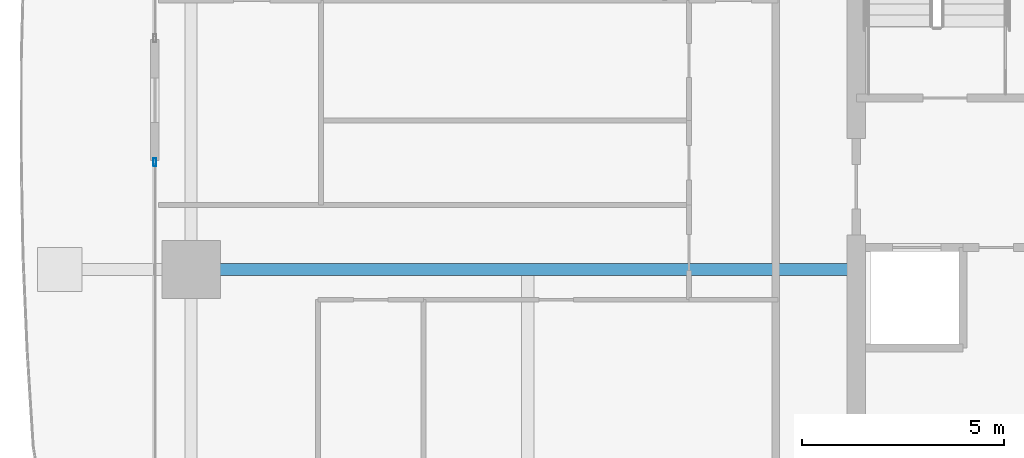
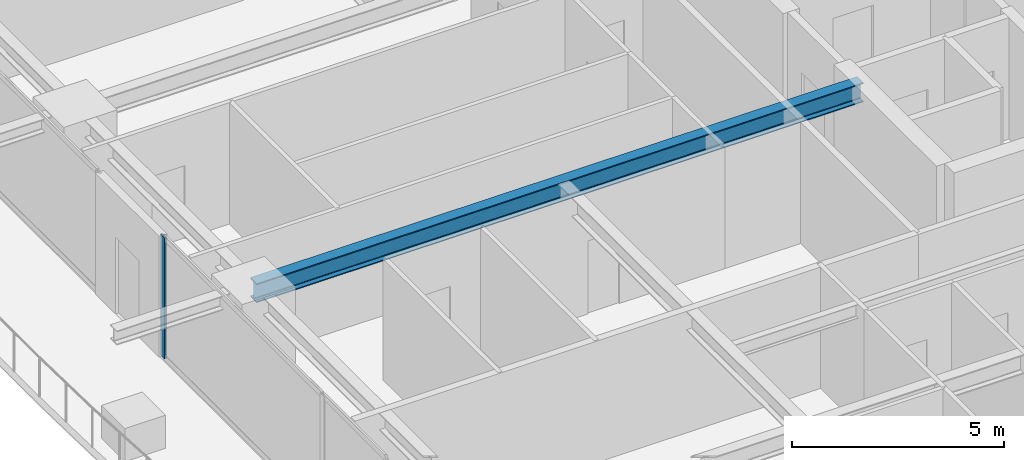
# One storey, part 7 of 34: 1 beam, 1 member, 1 element without a shape of its own.
"""IFC4 building model written with IfcOpenShell, lengths in metres."""

from ifc_helpers import new_model, si_unit, direction, frame, origin, origin_2d, place, context, subcontext, project, spatial, hollow_rectangle, i_section, extrude, source, transform, mapped, material, layer, layer_set, material_profile, profile_set, type_object, element, aggregate, save


model = new_model("IFC4")

# Units and contexts
model_context = context("Model", 3, precision=1e-05, world=origin(), true_north=direction((0.0, 1.0)))
body_context = subcontext(model_context, "Body", "Model", "MODEL_VIEW")
ifc_project = project(units=[si_unit("LENGTHUNIT", "METRE"), si_unit("AREAUNIT", "SQUARE_METRE"), si_unit("VOLUMEUNIT", "CUBIC_METRE"), si_unit("PLANEANGLEUNIT", "RADIAN"), si_unit("MASSUNIT", "GRAM", prefix="KILO")], contexts=[model_context])

# Site, building, storey
site_placement = place(None, origin())
site = spatial("IfcSite", under=ifc_project, at=site_placement, CompositionType="ELEMENT")
building_placement = place(site_placement, origin())
building = spatial("IfcBuilding", under=site, at=building_placement, Name="Serunith Strait Residences", CompositionType="ELEMENT")
storey_placement = place(building_placement, frame((0.0, 0.0, 101.699951171875)))
storey = spatial("IfcBuildingStorey", under=building, at=storey_placement, Name="L25", CompositionType="ELEMENT", Elevation=101.699951171875)

# Beam
ifc_material_1 = material(Name="Steel S355J2", Category="steel")
ifc_material_profile_1 = material_profile(ifc_material_1, i_section(OverallWidth=0.300048828125, OverallDepth=0.550048828125, WebThickness=0.014892578125, FlangeThickness=0.029052734375, FilletRadius=0.027099609375, at=origin_2d()), Name="HEB 550")
ifc_profile_set_1 = profile_set([ifc_material_profile_1], Name="Steel S355J2")
beam_type = type_object("IfcBeamType", Name="BM-HEB550", PredefinedType="BEAM", material=ifc_profile_set_1)
shared_shape_1 = source(origin(), body_context, "Body", "SweptSolid", [
    extrude(i_section(OverallWidth=0.300048828125, OverallDepth=0.550048828125, WebThickness=0.014892578125, FlangeThickness=0.029052734375, FilletRadius=0.027099609375, at=origin_2d()), origin(), (0.0, 0.0, 1.0), 16.5),
])
beam_placement = place(storey_placement, frame((23.39990234375, 21.0, 3.212158203125), z_axis=(-1.0, 0.0, 0.0), x_axis=(0.0, -1.0, 0.0)))
element("IfcBeam", 1, at=beam_placement, inside=storey, type_object=beam_type, Name="L25 Primary Floor Girder TC-W2", PredefinedType="BEAM", context=body_context, shape_type="MappedRepresentation", body=[
    mapped(shared_shape_1, transform((0.0, 0.0, 0.0), scale=1.0)),
])

# Curtain wall, member
ifc_material_2 = material(Name="Pale-Champagne Anodised Aluminium", Category="aluminium")
ifc_layer = layer(ifc_material_2, 0.199951171875, Name="Pale-Champagne Anodised Aluminium")
ifc_layer_set = layer_set([ifc_layer], Name="Pale-Champagne Anodised Aluminium")
curtain_wall_type = type_object("IfcCurtainWallType", Name="CW-SYS1", PredefinedType="NOTDEFINED", material=ifc_layer_set)
curtain_wall_placement = place(storey_placement, origin())
curtain_wall = element("IfcCurtainWall", 2, at=curtain_wall_placement, inside=storey, type_object=curtain_wall_type, Name="L25 W Unitised Fritted Curtain Wall", PredefinedType="NOTDEFINED")
ifc_material_profile_2 = material_profile(ifc_material_2, hollow_rectangle(XDim=0.070068359375, YDim=0.199951171875, WallThickness=0.00390625, InnerFilletRadius=0.006103515625, OuterFilletRadius=0.010009765625, at=origin_2d()), Name="ALU 200x70x4")
ifc_profile_set_2 = profile_set([ifc_material_profile_2], Name="Pale-Champagne Anodised Aluminium")
member_type = type_object("IfcMemberType", Name="CW-SYS1-MULL", PredefinedType="MULLION", material=ifc_profile_set_2)
shared_shape_2 = source(origin(), body_context, "Body", "SweptSolid", [
    extrude(hollow_rectangle(XDim=0.070068359375, YDim=0.199951171875, WallThickness=0.00390625, InnerFilletRadius=0.006103515625, OuterFilletRadius=0.010009765625, at=origin_2d()), origin(), (0.0, 0.0, 1.0), 3.47509765625),
])
member_placement = place(storey_placement, frame((6.0, 23.6650390625, 0.0), z_axis=(0.0, 0.0, 1.0), x_axis=(1.0, 0.0, 0.0)))
member = element("IfcMember", 3, at=member_placement, type_object=member_type, Name="CW-1 mullion 1", PredefinedType="MULLION", context=body_context, shape_type="MappedRepresentation", body=[
    mapped(shared_shape_2, transform((0.0, 0.0, 0.0), scale=1.0)),
])
aggregate(curtain_wall, [member])

save(model, "model.ifc")
